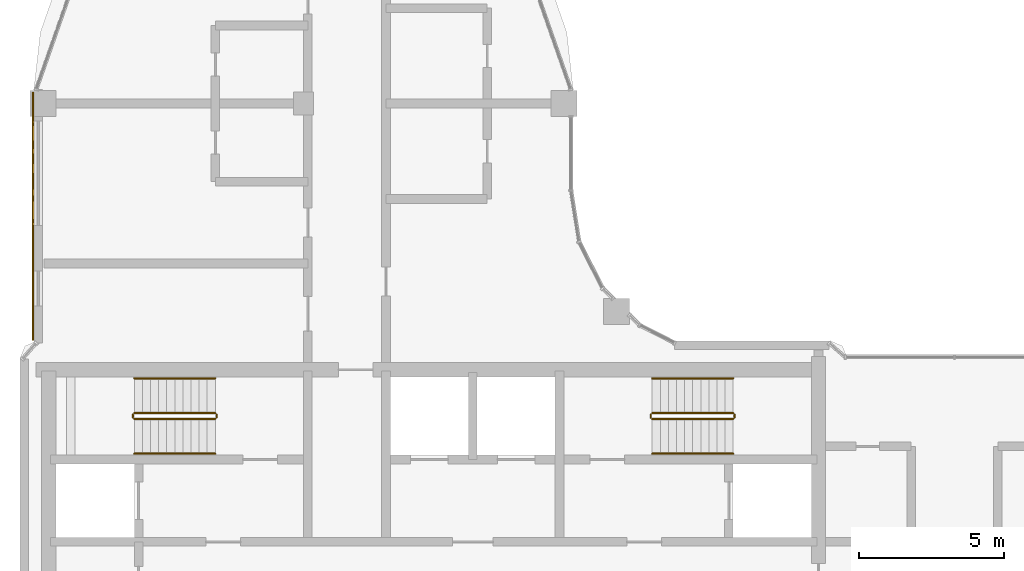
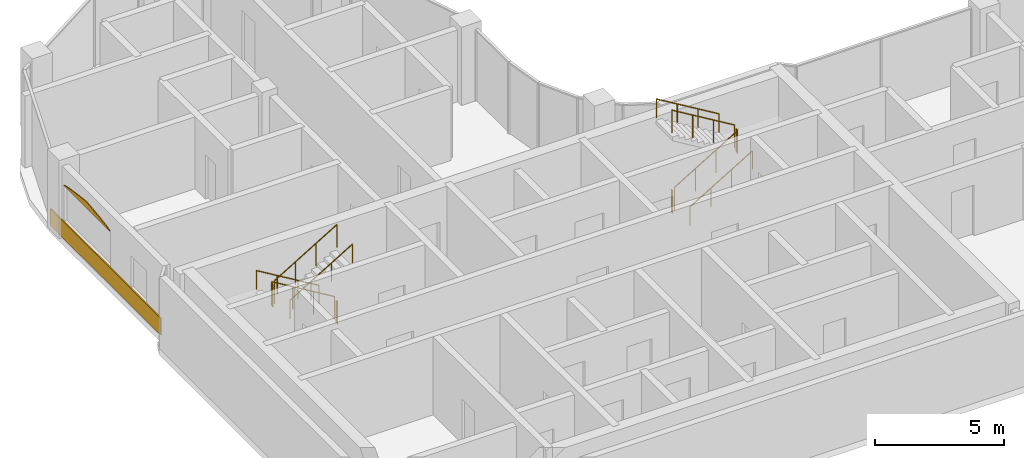
# One storey, part 15 of 17: 12 railings, 2 coverings.
"""IFC4 building model written with IfcOpenShell, lengths in metres."""

from ifc_helpers import new_model, si_unit, direction, frame, origin, origin_2d, place, context, subcontext, project, spatial, polyline, rectangle, circle, outline, extrude, material, layer, layer_set, type_object, element, save


model = new_model("IFC4")

# Units and contexts
model_context = context("Model", 3, precision=1e-05, world=origin(), true_north=direction((0.0, 1.0)))
body_context = subcontext(model_context, "Body", "Model", "MODEL_VIEW")
ifc_project = project(units=[si_unit("LENGTHUNIT", "METRE"), si_unit("AREAUNIT", "SQUARE_METRE"), si_unit("VOLUMEUNIT", "CUBIC_METRE"), si_unit("PLANEANGLEUNIT", "RADIAN"), si_unit("MASSUNIT", "GRAM", prefix="KILO")], contexts=[model_context])

# Site, building, storey
site_placement = place(None, origin())
site = spatial("IfcSite", under=ifc_project, at=site_placement, CompositionType="ELEMENT")
building_placement = place(site_placement, origin())
building = spatial("IfcBuilding", under=site, at=building_placement, Name="Ogive Portal Towers", CompositionType="ELEMENT")
storey_placement = place(building_placement, frame((0.0, 0.0, 221.699951171875)))
storey = spatial("IfcBuildingStorey", under=building, at=storey_placement, Name="L55", CompositionType="ELEMENT", Elevation=221.699951171875)

# Railings
ifc_material_1 = material(Name="Stainless steel balustrade", Category="steel")
railing_type_1 = type_object("IfcRailingType", Name="INT-GUARD", PredefinedType="GUARDRAIL", material=ifc_material_1)
railing_1_placement = place(storey_placement, frame((37.449951171875, 37.800048828125, 0.168212890625)))
element("IfcRailing", 1, at=railing_1_placement, inside=storey, type_object=railing_type_1, Name="L55 ST-A1 stair guard 1", PredefinedType="GUARDRAIL", context=body_context, shape_type="SweptSolid", body=[
    extrude(circle(Radius=0.02392578125, at=origin_2d()), frame((0.0, 0.0, 1.076171875), z_axis=(-0.857242210791, 0.0, 0.514913383045), x_axis=(0.0, -1.0, 0.0)), (0.0, 0.0, 1.0), 3.266357421875),
    extrude(circle(Radius=0.02099609375, at=origin_2d()), origin(), (0.0, 0.0, 1.0), 1.052001953125),
    extrude(circle(Radius=0.02099609375, at=origin_2d()), frame((-0.933349609375, 0.0, 0.560546875)), (0.0, 0.0, 1.0), 1.052001953125),
    extrude(circle(Radius=0.02099609375, at=origin_2d()), frame((-1.86669921875, 0.0, 1.121337890625)), (0.0, 0.0, 1.0), 1.052001953125),
    extrude(circle(Radius=0.02099609375, at=origin_2d()), frame((-2.800048828125, 0.0, 1.681884765625)), (0.0, 0.0, 1.0), 1.052001953125),
])
railing_2_placement = place(storey_placement, frame((34.60009765625, 37.75, 1.85009765625)))
element("IfcRailing", 2, at=railing_2_placement, inside=storey, type_object=railing_type_1, Name="L55 ST-A1 stair guard 2", PredefinedType="GUARDRAIL", context=body_context, shape_type="SweptSolid", body=[
    extrude(circle(Radius=0.02392578125, at=origin_2d()), frame((0.0, 0.0, 1.076171875), z_axis=(0.0, -1.0, 0.0), x_axis=(1.0, 0.0, 0.0)), (0.0, 0.0, 1.0), 0.10009765625),
    extrude(circle(Radius=0.02099609375, at=origin_2d()), origin(), (0.0, 0.0, 1.0), 1.052001953125),
    extrude(circle(Radius=0.02099609375, at=origin_2d()), frame((0.0, -0.10009765625, 0.0)), (0.0, 0.0, 1.0), 1.052001953125),
])
railing_3_placement = place(storey_placement, frame((34.64990234375, 37.60009765625, 2.018310546875)))
element("IfcRailing", 3, at=railing_3_placement, inside=storey, type_object=railing_type_1, Name="L55 ST-A1 stair guard 3", PredefinedType="GUARDRAIL", context=body_context, shape_type="SweptSolid", body=[
    extrude(circle(Radius=0.02392578125, at=origin_2d()), frame((0.0, 0.0, 1.076171875), z_axis=(0.857275202839, 0.0, 0.514858452973), x_axis=(0.0, 1.0, 0.0)), (0.0, 0.0, 1.0), 3.26611328125),
    extrude(circle(Radius=0.02099609375, at=origin_2d()), origin(), (0.0, 0.0, 1.0), 1.052001953125),
    extrude(circle(Radius=0.02099609375, at=origin_2d()), frame((0.933349609375, 0.0, 0.560546875)), (0.0, 0.0, 1.0), 1.052001953125),
    extrude(circle(Radius=0.02099609375, at=origin_2d()), frame((1.86669921875, 0.0, 1.12109375)), (0.0, 0.0, 1.0), 1.052001953125),
    extrude(circle(Radius=0.02099609375, at=origin_2d()), frame((2.800048828125, 0.0, 1.681640625)), (0.0, 0.0, 1.0), 1.052001953125),
])
railing_4_placement = place(storey_placement, frame((37.5, 37.75, 0.0)))
element("IfcRailing", 4, at=railing_4_placement, inside=storey, type_object=railing_type_1, Name="L55 ST-A1 stair guard 4", PredefinedType="GUARDRAIL", context=body_context, shape_type="SweptSolid", body=[
    extrude(circle(Radius=0.02392578125, at=origin_2d()), frame((0.0, 0.0, 1.076171875), z_axis=(0.0, -1.0, 0.0), x_axis=(1.0, 0.0, 0.0)), (0.0, 0.0, 1.0), 0.10009765625),
    extrude(circle(Radius=0.02099609375, at=origin_2d()), origin(), (0.0, 0.0, 1.0), 1.052001953125),
    extrude(circle(Radius=0.02099609375, at=origin_2d()), frame((0.0, -0.10009765625, 0.0)), (0.0, 0.0, 1.0), 1.052001953125),
])
railing_5_placement = place(storey_placement, frame((52.550048828125, 37.60009765625, 0.168212890625)))
element("IfcRailing", 5, at=railing_5_placement, inside=storey, type_object=railing_type_1, Name="L55 ST-A2 stair guard 1", PredefinedType="GUARDRAIL", context=body_context, shape_type="SweptSolid", body=[
    extrude(circle(Radius=0.02392578125, at=origin_2d()), frame((0.0, 0.0, 1.076171875), z_axis=(0.857242210791, 0.0, 0.514913383045), x_axis=(0.0, 1.0, 0.0)), (0.0, 0.0, 1.0), 3.266357421875),
    extrude(circle(Radius=0.02099609375, at=origin_2d()), origin(), (0.0, 0.0, 1.0), 1.052001953125),
    extrude(circle(Radius=0.02099609375, at=origin_2d()), frame((0.933349609375, 0.0, 0.560546875)), (0.0, 0.0, 1.0), 1.052001953125),
    extrude(circle(Radius=0.02099609375, at=origin_2d()), frame((1.86669921875, 0.0, 1.121337890625)), (0.0, 0.0, 1.0), 1.052001953125),
    extrude(circle(Radius=0.02099609375, at=origin_2d()), frame((2.800048828125, 0.0, 1.681884765625)), (0.0, 0.0, 1.0), 1.052001953125),
])
railing_6_placement = place(storey_placement, frame((55.39990234375, 37.64990234375, 1.85009765625)))
element("IfcRailing", 6, at=railing_6_placement, inside=storey, type_object=railing_type_1, Name="L55 ST-A2 stair guard 2", PredefinedType="GUARDRAIL", context=body_context, shape_type="SweptSolid", body=[
    extrude(circle(Radius=0.02392578125, at=origin_2d()), frame((0.0, 0.0, 1.076171875), z_axis=(0.0, 1.0, 0.0), x_axis=(-1.0, 0.0, 0.0)), (0.0, 0.0, 1.0), 0.10009765625),
    extrude(circle(Radius=0.02099609375, at=origin_2d()), origin(), (0.0, 0.0, 1.0), 1.052001953125),
    extrude(circle(Radius=0.02099609375, at=origin_2d()), frame((0.0, 0.10009765625, 0.0)), (0.0, 0.0, 1.0), 1.052001953125),
])
railing_7_placement = place(storey_placement, frame((55.35009765625, 37.800048828125, 2.018310546875)))
element("IfcRailing", 7, at=railing_7_placement, inside=storey, type_object=railing_type_1, Name="L55 ST-A2 stair guard 3", PredefinedType="GUARDRAIL", context=body_context, shape_type="SweptSolid", body=[
    extrude(circle(Radius=0.02392578125, at=origin_2d()), frame((0.0, 0.0, 1.076171875), z_axis=(-0.857275202839, 0.0, 0.514858452973), x_axis=(0.0, -1.0, 0.0)), (0.0, 0.0, 1.0), 3.26611328125),
    extrude(circle(Radius=0.02099609375, at=origin_2d()), origin(), (0.0, 0.0, 1.0), 1.052001953125),
    extrude(circle(Radius=0.02099609375, at=origin_2d()), frame((-0.933349609375, 0.0, 0.560546875)), (0.0, 0.0, 1.0), 1.052001953125),
    extrude(circle(Radius=0.02099609375, at=origin_2d()), frame((-1.86669921875, 0.0, 1.12109375)), (0.0, 0.0, 1.0), 1.052001953125),
    extrude(circle(Radius=0.02099609375, at=origin_2d()), frame((-2.800048828125, 0.0, 1.681640625)), (0.0, 0.0, 1.0), 1.052001953125),
])
railing_8_placement = place(storey_placement, frame((52.5, 37.64990234375, 0.0)))
element("IfcRailing", 8, at=railing_8_placement, inside=storey, type_object=railing_type_1, Name="L55 ST-A2 stair guard 4", PredefinedType="GUARDRAIL", context=body_context, shape_type="SweptSolid", body=[
    extrude(circle(Radius=0.02392578125, at=origin_2d()), frame((0.0, 0.0, 1.076171875), z_axis=(0.0, 1.0, 0.0), x_axis=(-1.0, 0.0, 0.0)), (0.0, 0.0, 1.0), 0.10009765625),
    extrude(circle(Radius=0.02099609375, at=origin_2d()), origin(), (0.0, 0.0, 1.0), 1.052001953125),
    extrude(circle(Radius=0.02099609375, at=origin_2d()), frame((0.0, 0.10009765625, 0.0)), (0.0, 0.0, 1.0), 1.052001953125),
])
ifc_material_2 = material(Name="Stainless steel handrail", Category="steel")
railing_type_2 = type_object("IfcRailingType", Name="INT-HANDRAIL", PredefinedType="HANDRAIL", material=ifc_material_2)
railing_9_placement = place(storey_placement, frame((37.449951171875, 39.0, 0.168212890625)))
element("IfcRailing", 9, at=railing_9_placement, inside=storey, type_object=railing_type_2, Name="L55 ST-A1 stair handrail 1", PredefinedType="HANDRAIL", context=body_context, shape_type="SweptSolid", body=[
    extrude(circle(Radius=0.02392578125, at=origin_2d()), frame((0.0, 0.0, 0.8759765625), z_axis=(-0.857242210791, 0.0, 0.514913383045), x_axis=(0.0, -1.0, 0.0)), (0.0, 0.0, 1.0), 3.266357421875),
    extrude(circle(Radius=0.02099609375, at=origin_2d()), origin(), (0.0, 0.0, 1.0), 0.851806640625),
    extrude(circle(Radius=0.02099609375, at=origin_2d()), frame((-0.933349609375, 0.0, 0.560546875)), (0.0, 0.0, 1.0), 0.851806640625),
    extrude(circle(Radius=0.02099609375, at=origin_2d()), frame((-1.86669921875, 0.0, 1.121337890625)), (0.0, 0.0, 1.0), 0.851806640625),
    extrude(circle(Radius=0.02099609375, at=origin_2d()), frame((-2.800048828125, 0.0, 1.681884765625)), (0.0, 0.0, 1.0), 0.851806640625),
])
railing_10_placement = place(storey_placement, frame((34.64990234375, 36.39990234375, 2.018310546875)))
element("IfcRailing", 10, at=railing_10_placement, inside=storey, type_object=railing_type_2, Name="L55 ST-A1 stair handrail 2", PredefinedType="HANDRAIL", context=body_context, shape_type="SweptSolid", body=[
    extrude(circle(Radius=0.02392578125, at=origin_2d()), frame((0.0, 0.0, 0.8759765625), z_axis=(0.857275202839, 0.0, 0.514858452973), x_axis=(0.0, 1.0, 0.0)), (0.0, 0.0, 1.0), 3.26611328125),
    extrude(circle(Radius=0.02099609375, at=origin_2d()), origin(), (0.0, 0.0, 1.0), 0.851806640625),
    extrude(circle(Radius=0.02099609375, at=origin_2d()), frame((0.933349609375, 0.0, 0.560546875)), (0.0, 0.0, 1.0), 0.851806640625),
    extrude(circle(Radius=0.02099609375, at=origin_2d()), frame((1.86669921875, 0.0, 1.12109375)), (0.0, 0.0, 1.0), 0.851806640625),
    extrude(circle(Radius=0.02099609375, at=origin_2d()), frame((2.800048828125, 0.0, 1.681640625)), (0.0, 0.0, 1.0), 0.851806640625),
])
railing_11_placement = place(storey_placement, frame((52.550048828125, 36.39990234375, 0.168212890625)))
element("IfcRailing", 11, at=railing_11_placement, inside=storey, type_object=railing_type_2, Name="L55 ST-A2 stair handrail 1", PredefinedType="HANDRAIL", context=body_context, shape_type="SweptSolid", body=[
    extrude(circle(Radius=0.02392578125, at=origin_2d()), frame((0.0, 0.0, 0.8759765625), z_axis=(0.857242210791, 0.0, 0.514913383045), x_axis=(0.0, 1.0, 0.0)), (0.0, 0.0, 1.0), 3.266357421875),
    extrude(circle(Radius=0.02099609375, at=origin_2d()), origin(), (0.0, 0.0, 1.0), 0.851806640625),
    extrude(circle(Radius=0.02099609375, at=origin_2d()), frame((0.933349609375, 0.0, 0.560546875)), (0.0, 0.0, 1.0), 0.851806640625),
    extrude(circle(Radius=0.02099609375, at=origin_2d()), frame((1.86669921875, 0.0, 1.121337890625)), (0.0, 0.0, 1.0), 0.851806640625),
    extrude(circle(Radius=0.02099609375, at=origin_2d()), frame((2.800048828125, 0.0, 1.681884765625)), (0.0, 0.0, 1.0), 0.851806640625),
])
railing_12_placement = place(storey_placement, frame((55.35009765625, 39.0, 2.018310546875)))
element("IfcRailing", 12, at=railing_12_placement, inside=storey, type_object=railing_type_2, Name="L55 ST-A2 stair handrail 2", PredefinedType="HANDRAIL", context=body_context, shape_type="SweptSolid", body=[
    extrude(circle(Radius=0.02392578125, at=origin_2d()), frame((0.0, 0.0, 0.8759765625), z_axis=(-0.857275202839, 0.0, 0.514858452973), x_axis=(0.0, -1.0, 0.0)), (0.0, 0.0, 1.0), 3.26611328125),
    extrude(circle(Radius=0.02099609375, at=origin_2d()), origin(), (0.0, 0.0, 1.0), 0.851806640625),
    extrude(circle(Radius=0.02099609375, at=origin_2d()), frame((-0.933349609375, 0.0, 0.560546875)), (0.0, 0.0, 1.0), 0.851806640625),
    extrude(circle(Radius=0.02099609375, at=origin_2d()), frame((-1.86669921875, 0.0, 1.12109375)), (0.0, 0.0, 1.0), 0.851806640625),
    extrude(circle(Radius=0.02099609375, at=origin_2d()), frame((-2.800048828125, 0.0, 1.681640625)), (0.0, 0.0, 1.0), 0.851806640625),
])

# Coverings
ifc_material_3 = material(Name="Limestone cladding on lightweight block wall", Category="masonry")
ifc_layer_1 = layer(ifc_material_3, 0.0400390625)
ifc_layer_set_1 = layer_set([ifc_layer_1], Name="LANCET HEAD STONE")
covering_type_1 = type_object("IfcCoveringType", Name="LANCET HEAD STONE", PredefinedType="CLADDING", material=ifc_layer_set_1)
covering_1_placement = place(storey_placement, frame((31.179931640625, 47.893310546875, 2.60009765625), z_axis=(0.999955558725, 0.0, 0.009427649478), x_axis=(0.0, -1.0, 0.0)))
element("IfcCovering", 13, at=covering_1_placement, inside=storey, type_object=covering_type_1, Name="Lancet head", PredefinedType="CLADDING", context=body_context, shape_type="SweptSolid", body=[
    extrude(outline(polyline([(0.0, 0.0), (3.60009765625, 0.0), (3.5205078125, -0.037354157259381175), (3.375, -0.07495474596607762), (3.186767578125, -0.11255303300053819), (2.963623046875, -0.14990949193215525), (2.710693359375, -0.1875077789666158), (2.430908203125, -0.2248642378982329), (2.126708984375, -0.26246252493269345), (1.800048828125, -0.3000631136393899), (1.473388671875, -0.26246252493269345), (1.169189453125, -0.2248642378982329), (0.889404296875, -0.1875077789666158), (0.636474609375, -0.14990949193215525), (0.41357421875, -0.11255303300053819), (0.22509765625, -0.07495474596607762), (0.07958984375, -0.037354157259381175), (0.0, 0.0)])), origin(), (0.0, 0.0, -1.0), 0.0400390625),
])
ifc_layer_2 = layer(ifc_material_3, 0.050048828125)
ifc_layer_set_2 = layer_set([ifc_layer_2], Name="SCREEN PERFORATED STONE")
covering_type_2 = type_object("IfcCoveringType", Name="SCREEN PERFORATED STONE", PredefinedType="CLADDING", material=ifc_layer_set_2)
covering_2_placement = place(storey_placement, frame((31.155029296875, 44.603271484375, 0.10009765625), z_axis=(0.0, 0.0, 1.0), x_axis=(0.0, -1.0, 0.0)))
element("IfcCovering", 14, at=covering_2_placement, inside=storey, type_object=covering_type_2, Name="Tracery screen", PredefinedType="CLADDING", context=body_context, shape_type="SweptSolid", body=[
    extrude(rectangle(XDim=8.566162109375, YDim=0.050048828125, at=origin_2d()), origin(), (0.0, 0.0, 1.0), 0.800048828125),
])

save(model, "model.ifc")
